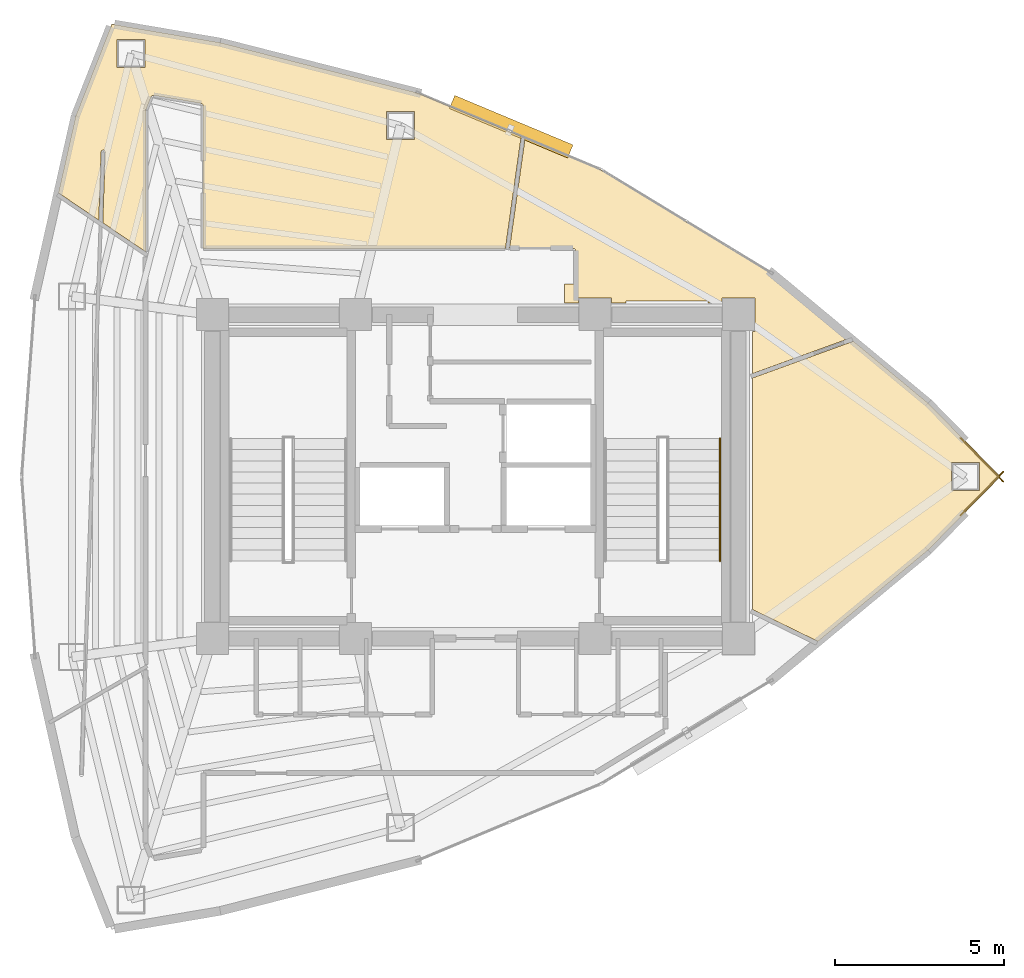
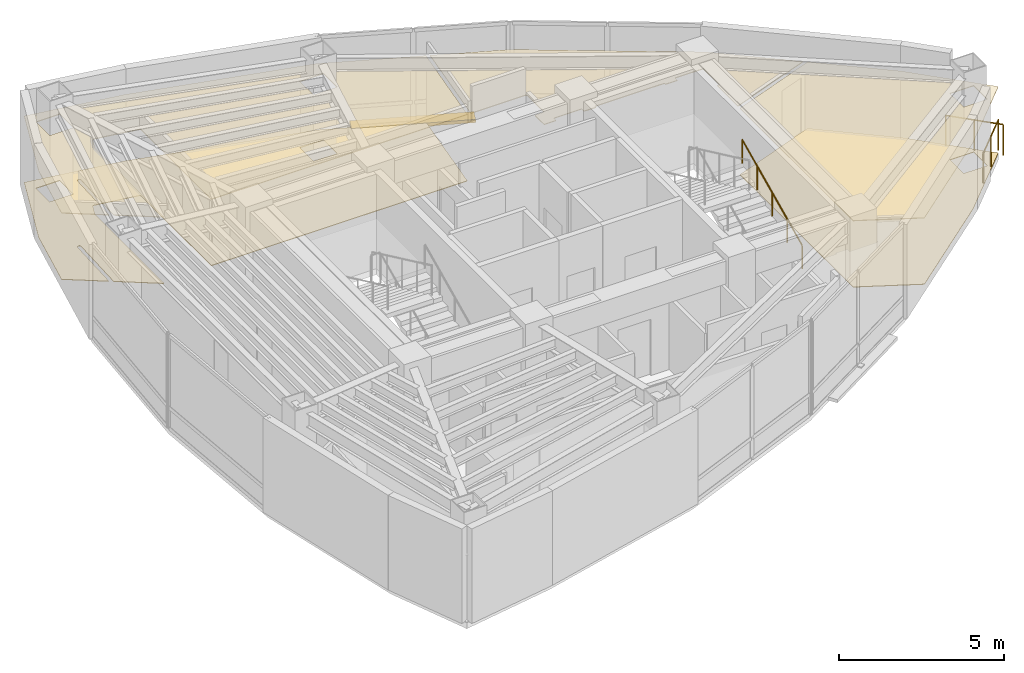
# One storey, part 15 of 16: 5 coverings, 3 railings, 1 shading device.
"""IFC4 building model written with IfcOpenShell, lengths in metres."""

import ifcopenshell
import ifcopenshell.guid

model = None  # the IFC model being written
_history = None  # IfcOwnerHistory: only IFC2X3 demands one
_inside = {}  # id of a spatial element -> (the spatial element, [elements in it])
_under = {}  # id of a project, library or spatial element -> (it, [spatial elements below it])
_declared = {}  # id of a project -> (the project, [libraries it declares])
_typed = {}  # id of a type object -> (the type object, [elements of that type])
_made_of = {}  # id of a material, layer set ... -> (it, [elements and type objects made of it])


def new_model(schema):
    """Start an empty IFC model of exactly this schema.

    Asked for "IFC4X3", IfcOpenShell would pick the latest addendum, in which some entities
    have other attributes; the version numbers below select the first issue.
    IFC2X3 requires an IfcOwnerHistory on every rooted entity: one is made here for all.
    """
    global model, _history
    if schema == "IFC4X3":
        model = ifcopenshell.file(schema_version=(4, 3, 0, 0))
    else:
        model = ifcopenshell.file(schema=schema)
    _inside.clear()
    _under.clear()
    _declared.clear()
    _typed.clear()
    _made_of.clear()
    _history = None
    if model.schema == "IFC2X3":
        org = make("IfcOrganization", Name="unknown")
        user = make(
            "IfcPersonAndOrganization",
            ThePerson=make("IfcPerson", FamilyName="unknown"),
            TheOrganization=org,
        )
        app = make(
            "IfcApplication",
            ApplicationDeveloper=org,
            Version="unknown",
            ApplicationFullName="unknown",
            ApplicationIdentifier="unknown",
        )
        _history = make(
            "IfcOwnerHistory",
            OwningUser=user,
            OwningApplication=app,
            ChangeAction="ADDED",
            CreationDate=0,
        )
    return model


def make(cls, **values):
    """One entity of the class cls with the attributes given. An attribute that is None is left unset."""
    return model.create_entity(
        cls, **{name: value for name, value in values.items() if value is not None}
    )


def rooted(cls, **values):
    """An entity with a GlobalId (a new one), such as an element, a storey or a relation."""
    return make(cls, GlobalId=ifcopenshell.guid.new(), OwnerHistory=_history, **values)


def si_unit(unit_type, name, prefix=None):
    """IfcSIUnit, for example si_unit("LENGTHUNIT", "METRE", prefix="MILLI")."""
    return make("IfcSIUnit", UnitType=unit_type, Prefix=prefix, Name=name)


def assignment(units):
    """IfcUnitAssignment: the units of a project."""
    return None if units is None else make("IfcUnitAssignment", Units=units)


def point(xyz):
    """IfcCartesianPoint."""
    return None if xyz is None else make("IfcCartesianPoint", Coordinates=xyz)


def direction(xyz):
    """IfcDirection."""
    return None if xyz is None else make("IfcDirection", DirectionRatios=xyz)


def frame(location, z_axis=None, x_axis=None):
    """IfcAxis2Placement3D, a coordinate frame: its origin and axes. An axis left out is left unset."""
    return make(
        "IfcAxis2Placement3D",
        Location=point(location),
        Axis=direction(z_axis),
        RefDirection=direction(x_axis),
    )


def frame_2d(location, x_axis=None):
    """IfcAxis2Placement2D, a coordinate frame in the plane: its origin and x axis."""
    return make(
        "IfcAxis2Placement2D", Location=point(location), RefDirection=direction(x_axis)
    )


def origin():
    """The frame at (0, 0, 0) with its axes left unset."""
    return frame((0.0, 0.0, 0.0))


def origin_2d():
    """The frame at (0, 0) in the plane with its x axis left unset."""
    return frame_2d((0.0, 0.0))


def place(relative_to, where):
    """IfcLocalPlacement: puts the frame where relative to a parent placement (None: the world)."""
    return make(
        "IfcLocalPlacement", PlacementRelTo=relative_to, RelativePlacement=where
    )


def context(
    kind, dimensions, precision=None, world=None, true_north=None, identifier=None
):
    """IfcGeometricRepresentationContext, for example the 3D "Model" context."""
    return make(
        "IfcGeometricRepresentationContext",
        ContextIdentifier=identifier,
        ContextType=kind,
        CoordinateSpaceDimension=dimensions,
        Precision=precision,
        WorldCoordinateSystem=world,
        TrueNorth=true_north,
    )


def subcontext(parent, identifier, kind, view, scale=None):
    """IfcGeometricRepresentationSubContext, for example "Body" below "Model"."""
    return make(
        "IfcGeometricRepresentationSubContext",
        ContextIdentifier=identifier,
        ContextType=kind,
        ParentContext=parent,
        TargetScale=scale,
        TargetView=view,
    )


def project(units=None, contexts=None):
    """IfcProject with its units and contexts."""
    return rooted(
        "IfcProject",
        Name="project",
        RepresentationContexts=contexts,
        UnitsInContext=assignment(units),
    )


def spatial(cls, under=None, at=None, **own):
    """A site, building, storey or space (cls), placed at a placement, below another one or the project."""
    s = rooted(cls, ObjectPlacement=at, **own)
    if under is not None:
        _under.setdefault(under.id(), (under, []))[1].append(s)
    return s


def polyline(points):
    """IfcPolyline through the points."""
    return make("IfcPolyline", Points=[point(p) for p in points])


def profile(cls, at=None, kind="AREA", **sizes):
    """A parametric profile (cls). Its sizes go by their IFC names, for example OverallWidth=200.0."""
    return make(cls, ProfileType=kind, Position=at, **sizes)


def rectangle(**sizes):
    """IfcRectangleProfileDef."""
    return profile("IfcRectangleProfileDef", **sizes)


def circle(**sizes):
    """IfcCircleProfileDef."""
    return profile("IfcCircleProfileDef", **sizes)


def outline(outer, holes=None, kind="AREA"):
    """IfcArbitraryClosedProfileDef: a profile drawn as a closed curve; with holes, ...WithVoids."""
    if holes is None:
        return make("IfcArbitraryClosedProfileDef", ProfileType=kind, OuterCurve=outer)
    return make(
        "IfcArbitraryProfileDefWithVoids",
        ProfileType=kind,
        OuterCurve=outer,
        InnerCurves=holes,
    )


def extrude(swept, where, along, depth):
    """IfcExtrudedAreaSolid: the profile swept, set in the frame where, extruded along a direction by depth."""
    return make(
        "IfcExtrudedAreaSolid",
        SweptArea=swept,
        Position=where,
        ExtrudedDirection=direction(along),
        Depth=depth,
    )


def shape(context_of_items, identifier, shape_type, items):
    """IfcShapeRepresentation: the items that make up one representation, for example the "Body"."""
    return make(
        "IfcShapeRepresentation",
        ContextOfItems=context_of_items,
        RepresentationIdentifier=identifier,
        RepresentationType=shape_type,
        Items=items,
    )


def material(Name=None, Category=None):
    """IfcMaterial."""
    return make("IfcMaterial", Name=Name, Category=Category)


def layer(
    of_material, thickness, ventilated=None, Name=None, Category=None, Priority=None
):
    """IfcMaterialLayer: one layer of a wall or slab, of a material (None: an air gap)."""
    return make(
        "IfcMaterialLayer",
        Material=of_material,
        LayerThickness=thickness,
        IsVentilated=ventilated,
        Name=Name,
        Category=Category,
        Priority=Priority,
    )


def layer_set(layers, Name=None):
    """IfcMaterialLayerSet."""
    return make("IfcMaterialLayerSet", MaterialLayers=layers, LayerSetName=Name)


def made_of(thing, what):
    """Note that an element or type object is made of a material, layer set ...; save() writes the relation."""
    if what is not None:
        _made_of.setdefault(what.id(), (what, []))[1].append(thing)
    return thing


def type_object(cls, material=None, **own):
    """A type object (cls), such as IfcWallType, which elements share."""
    return made_of(rooted(cls, **own), material)


def element(
    cls,
    number,
    at=None,
    inside=None,
    cuts=None,
    type_object=None,
    material=None,
    context=None,
    identifier="Body",
    shape_type=None,
    held_by="IfcProductDefinitionShape",
    body=None,
    shapes=None,
    **own,
):
    """One element of the class cls, such as IfcWall. Its Tag is "e" and its number.

    at: its placement. inside: the storey or other place that contains it. cuts: it is an
    opening in that element (IfcRelVoidsElement). A single representation is given by context,
    identifier, shape_type and body (its items); several are given by shapes. held_by: the class
    of the entity that holds the representations. save() writes the other relations.
    """
    e = rooted(cls, Tag="e%d" % number, ObjectPlacement=at, **own)
    if body is not None:
        shapes = [shape(context, identifier, shape_type, body)]
    if shapes is not None:
        e.Representation = make(held_by, Representations=shapes)
    if inside is not None:
        _inside.setdefault(inside.id(), (inside, []))[1].append(e)
    if cuts is not None:
        rooted(
            "IfcRelVoidsElement", RelatingBuildingElement=cuts, RelatedOpeningElement=e
        )
    if type_object is not None:
        _typed.setdefault(type_object.id(), (type_object, []))[1].append(e)
    return made_of(e, material)


def aggregate(whole, parts):
    """IfcRelAggregates: a whole, such as a stair, and the parts it consists of."""
    return rooted("IfcRelAggregates", RelatingObject=whole, RelatedObjects=parts)


def save(model, path):
    """Write the relations noted so far, then the file.

    IfcRelAggregates (storeys below a building ...), IfcRelContainedInSpatialStructure (elements
    in a storey), IfcRelDefinesByType, IfcRelAssociatesMaterial and IfcRelDeclares: one each for
    every whole, place, type object, material and project.
    """
    for whole, parts in _under.values():
        aggregate(whole, parts)
    for where, things in _inside.values():
        rooted(
            "IfcRelContainedInSpatialStructure",
            RelatedElements=things,
            RelatingStructure=where,
        )
    for kind, things in _typed.values():
        rooted("IfcRelDefinesByType", RelatedObjects=things, RelatingType=kind)
    for what, things in _made_of.values():
        rooted("IfcRelAssociatesMaterial", RelatedObjects=things, RelatingMaterial=what)
    for by, libraries in _declared.values():
        rooted("IfcRelDeclares", RelatingContext=by, RelatedDefinitions=libraries)
    model.write(path)


model = new_model("IFC4")

# Units and contexts
model_context = context("Model", 3, precision=1e-05, world=origin(), true_north=direction((0.0, 1.0)))
body_context = subcontext(model_context, "Body", "Model", "MODEL_VIEW")
ifc_project = project(units=[si_unit("LENGTHUNIT", "METRE"), si_unit("AREAUNIT", "SQUARE_METRE"), si_unit("VOLUMEUNIT", "CUBIC_METRE"), si_unit("PLANEANGLEUNIT", "RADIAN"), si_unit("MASSUNIT", "GRAM", prefix="KILO")], contexts=[model_context])

# Site, building, storey
site_placement = place(None, origin())
site = spatial("IfcSite", under=ifc_project, at=site_placement, CompositionType="ELEMENT")
building_placement = place(site_placement, origin())
building = spatial("IfcBuilding", under=site, at=building_placement, Name="Menara Vayukalpa", CompositionType="ELEMENT")
storey_placement = place(building_placement, frame((0.0, 0.0, 273.179931640625)))
storey = spatial("IfcBuildingStorey", under=building, at=storey_placement, Name="L69", CompositionType="ELEMENT", Elevation=273.179931640625)

# Coverings
ifc_material_1 = material(Name="Mineral Fibre Acoustic Ceiling Tile", Category="masonry")
ifc_layer_1 = layer(ifc_material_1, 0.02490234375)
ifc_layer_set_1 = layer_set([ifc_layer_1], Name="Mineral Fibre Acoustic Ceiling Tile")
covering_type_1 = type_object("IfcCoveringType", Name="COV-CLG1", PredefinedType="CEILING", material=ifc_layer_set_1)
covering_1_placement = place(storey_placement, frame((0.0, 0.0, 2.449951171875)))
element("IfcCovering", 1, at=covering_1_placement, inside=storey, type_object=covering_type_1, Name="L69 Client Conference Room Acoustic Ceiling", PredefinedType="CEILING", context=body_context, shape_type="SweptSolid", body=[
    extrude(outline(polyline([(41.15087890625, 22.007080078125), (41.151611328125, 22.00634765625), (41.15234375, 22.005615234375), (41.152587890625, 22.004638671875), (41.1533203125, 22.00390625), (41.153564453125, 22.0029296875), (41.15380859375, 22.001953125), (41.15380859375, 22.0009765625), (41.15380859375, 22.0), (41.15380859375, 21.9990234375), (41.15380859375, 21.998046875), (41.153564453125, 21.9970703125), (41.1533203125, 21.99609375), (41.152587890625, 21.995361328125), (41.15234375, 21.994384765625), (41.151611328125, 21.99365234375), (41.15087890625, 21.992919921875), (39.021240234375, 19.82373046875), (39.0205078125, 19.822998046875), (35.759033203125, 17.118408203125), (35.75830078125, 17.117919921875), (35.757568359375, 17.1171875), (35.756591796875, 17.116943359375), (35.755859375, 17.11669921875), (35.7548828125, 17.1162109375), (35.75390625, 17.1162109375), (35.7529296875, 17.1162109375), (35.751953125, 17.1162109375), (35.7509765625, 17.1162109375), (35.75, 17.116455078125), (35.749267578125, 17.11669921875), (35.748291015625, 17.1171875), (33.815673828125, 18.059814453125), (33.814697265625, 18.060302734375), (33.81396484375, 18.060791015625), (33.81298828125, 18.061279296875), (33.8125, 18.062255859375), (33.811767578125, 18.06298828125), (33.811279296875, 18.063720703125), (33.810791015625, 18.064697265625), (33.810546875, 18.065673828125), (33.810302734375, 18.066650390625), (33.81005859375, 18.067626953125), (33.81005859375, 18.068603515625), (33.81005859375, 24.917236328125), (33.81005859375, 24.918212890625), (33.810302734375, 24.919189453125), (33.810546875, 24.92041015625), (33.810791015625, 24.92138671875), (33.811279296875, 24.922119140625), (33.811767578125, 24.923095703125), (33.8125, 24.923828125), (33.81298828125, 24.924560546875), (33.81396484375, 24.92529296875), (33.814697265625, 24.92578125), (33.815673828125, 24.92626953125), (33.816650390625, 24.9267578125), (36.79345703125, 26.01025390625), (36.798828125, 26.012451171875), (36.7998046875, 26.0126953125), (36.80078125, 26.012939453125), (36.8017578125, 26.01318359375), (36.802490234375, 26.01318359375), (36.8037109375, 26.01318359375), (36.8046875, 26.012939453125), (36.805419921875, 26.0126953125), (36.806396484375, 26.012451171875), (36.807373046875, 26.011962890625), (36.80810546875, 26.011474609375), (36.80908203125, 26.010986328125), (39.0205078125, 24.177001953125), (39.021240234375, 24.17626953125), (41.15087890625, 22.007080078125)]), holes=[polyline([(40.536865234375, 22.4150390625), (39.706787109375, 22.4150390625), (39.706787109375, 21.5849609375), (40.536865234375, 21.5849609375), (40.536865234375, 22.4150390625)])]), origin(), (0.0, 0.0, 1.0), 0.025146484375),
])
covering_2_placement = place(storey_placement, frame((0.0, 0.0, 2.449951171875)))
element("IfcCovering", 2, at=covering_2_placement, inside=storey, type_object=covering_type_1, Name="L69 Client Conference Room Acoustic Ceiling", PredefinedType="CEILING", context=body_context, shape_type="SweptSolid", body=[
    extrude(outline(polyline([(28.570068359375, 28.69970703125), (28.569580078125, 28.706787109375), (28.568603515625, 28.713623046875), (28.56689453125, 28.72021484375), (28.564697265625, 28.726806640625), (28.561767578125, 28.73291015625), (28.55810546875, 28.73876953125), (28.553955078125, 28.744384765625), (28.549560546875, 28.74951171875), (28.54443359375, 28.75390625), (28.538818359375, 28.75830078125), (28.532958984375, 28.76171875), (28.52685546875, 28.7646484375), (28.520263671875, 28.76708984375), (28.513671875, 28.768798828125), (28.5068359375, 28.76953125), (28.499755859375, 28.77001953125), (26.62353515625, 28.77001953125), (26.62255859375, 28.77001953125), (26.62158203125, 28.770263671875), (26.62060546875, 28.7705078125), (26.61962890625, 28.770751953125), (26.618896484375, 28.771240234375), (26.617919921875, 28.771728515625), (26.6171875, 28.7724609375), (26.616455078125, 28.773193359375), (26.61572265625, 28.773681640625), (26.615234375, 28.774658203125), (26.61474609375, 28.775390625), (26.6142578125, 28.7763671875), (26.614013671875, 28.77734375), (26.61376953125, 28.7783203125), (26.613525390625, 28.779296875), (26.613525390625, 28.780517578125), (26.61376953125, 28.781494140625), (27.06982421875, 32.02685546875), (27.070068359375, 32.027587890625), (27.0703125, 32.02880859375), (27.070556640625, 32.029541015625), (27.071044921875, 32.030517578125), (27.071533203125, 32.03125), (27.072265625, 32.031982421875), (27.07275390625, 32.03271484375), (27.073486328125, 32.033203125), (27.07421875, 32.03369140625), (27.0751953125, 32.0341796875), (27.076171875, 32.03466796875), (27.076904296875, 32.034912109375), (27.077880859375, 32.03515625), (27.078857421875, 32.035400390625), (27.079833984375, 32.035400390625), (27.080810546875, 32.035400390625), (27.081787109375, 32.03515625), (27.082763671875, 32.034912109375), (27.08349609375, 32.03466796875), (29.32568359375, 31.0966796875), (29.326416015625, 31.09619140625), (29.3271484375, 31.095947265625), (34.37353515625, 28.030517578125), (34.374755859375, 28.02978515625), (36.684326171875, 26.1142578125), (36.68505859375, 26.113525390625), (36.685791015625, 26.11279296875), (36.686279296875, 26.112060546875), (36.68701171875, 26.111083984375), (36.687255859375, 26.1103515625), (36.6875, 26.109375), (36.687744140625, 26.1083984375), (36.68798828125, 26.107421875), (36.68798828125, 26.1064453125), (36.68798828125, 26.10546875), (36.687744140625, 26.1044921875), (36.6875, 26.103515625), (36.68701171875, 26.1025390625), (36.686767578125, 26.1015625), (36.68603515625, 26.100830078125), (36.685546875, 26.10009765625), (36.684814453125, 26.099365234375), (36.68408203125, 26.0986328125), (36.68310546875, 26.09814453125), (36.682373046875, 26.09765625), (36.681396484375, 26.09716796875), (33.823486328125, 25.056884765625), (33.822509765625, 25.056640625), (33.821533203125, 25.056396484375), (33.820556640625, 25.056396484375), (33.819580078125, 25.056396484375), (33.818603515625, 25.056396484375), (33.81787109375, 25.056640625), (33.81689453125, 25.056884765625), (33.81591796875, 25.05712890625), (33.815185546875, 25.0576171875), (33.814208984375, 25.05810546875), (33.8134765625, 25.05859375), (33.812744140625, 25.059326171875), (33.812255859375, 25.06005859375), (33.8115234375, 25.060791015625), (33.81103515625, 25.061767578125), (33.810791015625, 25.0625), (33.810302734375, 25.0634765625), (33.810302734375, 25.064453125), (33.81005859375, 25.065185546875), (33.81005859375, 25.06640625), (33.81005859375, 26.31005859375), (33.889892578125, 26.31005859375), (33.889892578125, 27.2900390625), (32.909912109375, 27.2900390625), (32.909912109375, 27.14990234375), (32.489990234375, 27.14990234375), (32.489990234375, 27.2099609375), (30.06005859375, 27.2099609375), (30.06005859375, 27.14990234375), (29.639892578125, 27.14990234375), (29.639892578125, 27.2900390625), (28.659912109375, 27.2900390625), (28.659912109375, 27.14990234375), (28.239990234375, 27.14990234375), (28.239990234375, 27.7099609375), (28.570068359375, 27.7099609375), (28.570068359375, 28.69970703125)])), origin(), (0.0, 0.0, 1.0), 0.025146484375),
])
covering_3_placement = place(storey_placement, frame((0.0, 0.0, 2.449951171875)))
element("IfcCovering", 3, at=covering_3_placement, inside=storey, type_object=covering_type_1, Name="L69 Client Conference Room Acoustic Ceiling", PredefinedType="CEILING", context=body_context, shape_type="SweptSolid", body=[
    extrude(outline(polyline([(13.751953125, 32.691162109375), (14.8173828125, 35.404541015625), (14.81787109375, 35.4052734375), (14.818359375, 35.40625), (14.81884765625, 35.406982421875), (14.819580078125, 35.40771484375), (14.8203125, 35.408447265625), (14.821044921875, 35.408935546875), (14.822021484375, 35.409423828125), (14.82275390625, 35.409912109375), (14.82373046875, 35.410400390625), (14.82470703125, 35.41064453125), (14.82568359375, 35.41064453125), (14.826416015625, 35.410888671875), (14.827392578125, 35.410888671875), (14.82861328125, 35.41064453125), (18.027587890625, 34.867431640625), (18.028564453125, 34.8671875), (23.877197265625, 33.375732421875), (23.878662109375, 33.375244140625), (26.949951171875, 32.09033203125), (26.950927734375, 32.090087890625), (26.95166015625, 32.089599609375), (26.952392578125, 32.0888671875), (26.953369140625, 32.088134765625), (26.953857421875, 32.08740234375), (26.95458984375, 32.086669921875), (26.955078125, 32.085693359375), (26.955322265625, 32.084716796875), (26.955810546875, 32.083740234375), (26.9560546875, 32.082763671875), (26.9560546875, 32.081787109375), (26.9560546875, 32.080810546875), (26.9560546875, 32.079833984375), (26.4921875, 28.778564453125), (26.491943359375, 28.777587890625), (26.49169921875, 28.77685546875), (26.4912109375, 28.77587890625), (26.490966796875, 28.77490234375), (26.490478515625, 28.774169921875), (26.48974609375, 28.7734375), (26.489013671875, 28.772705078125), (26.48828125, 28.772216796875), (26.487548828125, 28.771484375), (26.48681640625, 28.77099609375), (26.48583984375, 28.770751953125), (26.485107421875, 28.7705078125), (26.484130859375, 28.770263671875), (26.483154296875, 28.77001953125), (26.482177734375, 28.77001953125), (17.5400390625, 28.77001953125), (17.5390625, 28.77001953125), (17.5380859375, 28.770263671875), (17.537109375, 28.7705078125), (17.5361328125, 28.770751953125), (17.535400390625, 28.771240234375), (17.534423828125, 28.771728515625), (17.53369140625, 28.772216796875), (17.532958984375, 28.77294921875), (17.5322265625, 28.773681640625), (17.53173828125, 28.7744140625), (17.53125, 28.775390625), (17.53076171875, 28.776123046875), (17.530517578125, 28.777099609375), (17.5302734375, 28.778076171875), (17.530029296875, 28.779052734375), (17.530029296875, 28.780029296875), (17.530029296875, 32.995849609375), (17.529541015625, 33.003173828125), (17.528564453125, 33.010009765625), (17.52685546875, 33.016845703125), (17.5244140625, 33.0234375), (17.521484375, 33.02978515625), (17.517822265625, 33.03564453125), (17.513427734375, 33.041259765625), (17.5087890625, 33.04638671875), (17.50341796875, 33.05078125), (17.497802734375, 33.05517578125), (17.49169921875, 33.05859375), (17.485107421875, 33.061279296875), (17.478515625, 33.063720703125), (17.471435546875, 33.065185546875), (16.06201171875, 33.304443359375), (16.054931640625, 33.305419921875), (16.048095703125, 33.305419921875), (16.041259765625, 33.304931640625), (16.034423828125, 33.3037109375), (16.02783203125, 33.302001953125), (16.021484375, 33.299560546875), (16.015625, 33.29638671875), (16.009765625, 33.292724609375), (16.00439453125, 33.28857421875), (15.999267578125, 33.283935546875), (15.994873046875, 33.27880859375), (15.990966796875, 33.273193359375), (15.987548828125, 33.267333984375), (15.984619140625, 33.2607421875), (15.8349609375, 32.87939453125), (15.832763671875, 32.873291015625), (15.831298828125, 32.86669921875), (15.830322265625, 32.8603515625), (15.830078125, 32.853515625), (15.830078125, 28.68115234375), (15.830078125, 28.68017578125), (15.829833984375, 28.67919921875), (15.82958984375, 28.67822265625), (15.8291015625, 28.67724609375), (15.828857421875, 28.676513671875), (15.828369140625, 28.675537109375), (15.82763671875, 28.6748046875), (15.8271484375, 28.674072265625), (15.826416015625, 28.67333984375), (15.825439453125, 28.6728515625), (15.82470703125, 28.67236328125), (15.82373046875, 28.671875), (15.822998046875, 28.67138671875), (15.822021484375, 28.67138671875), (15.821044921875, 28.671142578125), (15.820068359375, 28.671142578125), (15.819091796875, 28.671142578125), (15.818115234375, 28.67138671875), (15.817138671875, 28.67138671875), (15.816162109375, 28.671875), (15.815185546875, 28.67236328125), (15.814453125, 28.6728515625), (14.556640625, 29.521240234375), (14.555908203125, 29.521728515625), (14.55517578125, 29.5224609375), (14.554443359375, 29.523193359375), (14.5537109375, 29.524169921875), (14.55322265625, 29.52490234375), (14.552978515625, 29.52587890625), (14.552490234375, 29.52685546875), (14.55224609375, 29.52783203125), (14.55224609375, 29.52880859375), (14.55224609375, 29.52978515625), (14.625244140625, 31.619873046875), (14.625, 31.6259765625), (14.62451171875, 31.6318359375), (14.623291015625, 31.6376953125), (14.621337890625, 31.643310546875), (14.619140625, 31.648681640625), (14.6162109375, 31.65380859375), (14.613037109375, 31.65869140625), (14.609130859375, 31.6630859375), (14.60498046875, 31.667236328125), (14.60009765625, 31.6708984375), (14.59521484375, 31.674072265625), (14.590087890625, 31.6767578125), (14.584716796875, 31.678955078125), (14.5791015625, 31.680419921875), (14.5732421875, 31.681640625), (14.5673828125, 31.68212890625), (14.561279296875, 31.681884765625), (14.5556640625, 31.681396484375), (14.5498046875, 31.68017578125), (14.544189453125, 31.67822265625), (14.538818359375, 31.676025390625), (14.53369140625, 31.673095703125), (14.52880859375, 31.669921875), (14.5244140625, 31.666015625), (14.520263671875, 31.661865234375), (14.5166015625, 31.6572265625), (14.513427734375, 31.65234375), (14.510498046875, 31.64697265625), (14.508544921875, 31.6416015625), (14.5068359375, 31.635986328125), (14.505859375, 31.630126953125), (14.50537109375, 31.6240234375), (14.435302734375, 29.62158203125), (14.435302734375, 29.62060546875), (14.43505859375, 29.619384765625), (14.434814453125, 29.61865234375), (14.434326171875, 29.61767578125), (14.43408203125, 29.61669921875), (14.43359375, 29.615966796875), (14.432861328125, 29.615234375), (14.43212890625, 29.614501953125), (14.431396484375, 29.614013671875), (14.4306640625, 29.61328125), (14.4296875, 29.61279296875), (14.428955078125, 29.612548828125), (14.427978515625, 29.6123046875), (14.427001953125, 29.612060546875), (14.426025390625, 29.61181640625), (14.42529296875, 29.61181640625), (14.42431640625, 29.61181640625), (14.42333984375, 29.612060546875), (14.42236328125, 29.6123046875), (14.42138671875, 29.612548828125), (14.42041015625, 29.613037109375), (14.419677734375, 29.613525390625), (13.244140625, 30.406494140625), (13.243408203125, 30.406982421875), (13.24267578125, 30.40771484375), (13.241943359375, 30.408447265625), (13.241455078125, 30.4091796875), (13.240966796875, 30.41015625), (13.240478515625, 30.410888671875), (13.240234375, 30.412109375), (13.239990234375, 30.412841796875), (13.23974609375, 30.413818359375), (13.23974609375, 30.414794921875), (13.239990234375, 30.416015625), (13.239990234375, 30.4169921875), (13.75146484375, 32.689697265625), (13.751708984375, 32.690185546875), (13.751953125, 32.691162109375)]), holes=[polyline([(15.80419921875, 34.959716796875), (14.97412109375, 34.959716796875), (14.97412109375, 34.129638671875), (15.80419921875, 34.129638671875), (15.80419921875, 34.959716796875)]), polyline([(23.796875, 32.81982421875), (22.966796875, 32.81982421875), (22.966796875, 31.98974609375), (23.796875, 31.98974609375), (23.796875, 32.81982421875)])]), origin(), (0.0, 0.0, 1.0), 0.025146484375),
])
ifc_material_2 = material(Name="Porcelain Stoneware Floor Tile", Category="masonry")
ifc_layer_2 = layer(ifc_material_2, 0.02001953125)
ifc_layer_set_2 = layer_set([ifc_layer_2], Name="Porcelain Stoneware Floor Tile")
covering_type_2 = type_object("IfcCoveringType", Name="COV-FLR1", PredefinedType="FLOORING", material=ifc_layer_set_2)
covering_4_placement = place(storey_placement, origin())
element("IfcCovering", 4, at=covering_4_placement, inside=storey, type_object=covering_type_2, Name="L69 Client Conference Room Porcelain Flooring", PredefinedType="FLOORING", context=body_context, shape_type="SweptSolid", body=[
    extrude(outline(polyline([(41.15087890625, 22.007080078125), (41.151611328125, 22.00634765625), (41.15234375, 22.005615234375), (41.152587890625, 22.004638671875), (41.1533203125, 22.00390625), (41.153564453125, 22.0029296875), (41.15380859375, 22.001953125), (41.15380859375, 22.0009765625), (41.15380859375, 22.0), (41.15380859375, 21.9990234375), (41.15380859375, 21.998046875), (41.153564453125, 21.9970703125), (41.1533203125, 21.99609375), (41.152587890625, 21.995361328125), (41.15234375, 21.994384765625), (41.151611328125, 21.99365234375), (41.15087890625, 21.992919921875), (39.021240234375, 19.82373046875), (39.0205078125, 19.822998046875), (35.759033203125, 17.118408203125), (35.75830078125, 17.117919921875), (35.757568359375, 17.1171875), (35.756591796875, 17.116943359375), (35.755859375, 17.11669921875), (35.7548828125, 17.1162109375), (35.75390625, 17.1162109375), (35.7529296875, 17.1162109375), (35.751953125, 17.1162109375), (35.7509765625, 17.1162109375), (35.75, 17.116455078125), (35.749267578125, 17.11669921875), (35.748291015625, 17.1171875), (33.815673828125, 18.059814453125), (33.814697265625, 18.060302734375), (33.81396484375, 18.060791015625), (33.81298828125, 18.061279296875), (33.8125, 18.062255859375), (33.811767578125, 18.06298828125), (33.811279296875, 18.063720703125), (33.810791015625, 18.064697265625), (33.810546875, 18.065673828125), (33.810302734375, 18.066650390625), (33.81005859375, 18.067626953125), (33.81005859375, 18.068603515625), (33.81005859375, 24.917236328125), (33.81005859375, 24.918212890625), (33.810302734375, 24.919189453125), (33.810546875, 24.92041015625), (33.810791015625, 24.92138671875), (33.811279296875, 24.922119140625), (33.811767578125, 24.923095703125), (33.8125, 24.923828125), (33.81298828125, 24.924560546875), (33.81396484375, 24.92529296875), (33.814697265625, 24.92578125), (33.815673828125, 24.92626953125), (33.816650390625, 24.9267578125), (36.79345703125, 26.01025390625), (36.798828125, 26.012451171875), (36.7998046875, 26.0126953125), (36.80078125, 26.012939453125), (36.8017578125, 26.01318359375), (36.802490234375, 26.01318359375), (36.8037109375, 26.01318359375), (36.8046875, 26.012939453125), (36.805419921875, 26.0126953125), (36.806396484375, 26.012451171875), (36.807373046875, 26.011962890625), (36.80810546875, 26.011474609375), (36.80908203125, 26.010986328125), (39.0205078125, 24.177001953125), (39.021240234375, 24.17626953125), (41.15087890625, 22.007080078125)]), holes=[polyline([(40.536865234375, 22.4150390625), (39.706787109375, 22.4150390625), (39.706787109375, 21.5849609375), (40.536865234375, 21.5849609375), (40.536865234375, 22.4150390625)])]), origin(), (0.0, 0.0, 1.0), 0.02001953125),
])
covering_5_placement = place(storey_placement, origin())
element("IfcCovering", 5, at=covering_5_placement, inside=storey, type_object=covering_type_2, Name="L69 Client Conference Room Porcelain Flooring", PredefinedType="FLOORING", context=body_context, shape_type="SweptSolid", body=[
    extrude(outline(polyline([(13.751953125, 32.691162109375), (14.8173828125, 35.404541015625), (14.81787109375, 35.4052734375), (14.818359375, 35.40625), (14.81884765625, 35.406982421875), (14.819580078125, 35.40771484375), (14.8203125, 35.408447265625), (14.821044921875, 35.408935546875), (14.822021484375, 35.409423828125), (14.82275390625, 35.409912109375), (14.82373046875, 35.410400390625), (14.82470703125, 35.41064453125), (14.82568359375, 35.41064453125), (14.826416015625, 35.410888671875), (14.827392578125, 35.410888671875), (14.82861328125, 35.41064453125), (18.027587890625, 34.867431640625), (18.028564453125, 34.8671875), (23.877197265625, 33.375732421875), (23.878662109375, 33.375244140625), (26.949951171875, 32.09033203125), (26.950927734375, 32.090087890625), (26.95166015625, 32.089599609375), (26.952392578125, 32.0888671875), (26.953369140625, 32.088134765625), (26.953857421875, 32.08740234375), (26.95458984375, 32.086669921875), (26.955078125, 32.085693359375), (26.955322265625, 32.084716796875), (26.955810546875, 32.083740234375), (26.9560546875, 32.082763671875), (26.9560546875, 32.081787109375), (26.9560546875, 32.080810546875), (26.9560546875, 32.079833984375), (26.4921875, 28.778564453125), (26.491943359375, 28.777587890625), (26.49169921875, 28.77685546875), (26.4912109375, 28.77587890625), (26.490966796875, 28.77490234375), (26.490478515625, 28.774169921875), (26.48974609375, 28.7734375), (26.489013671875, 28.772705078125), (26.48828125, 28.772216796875), (26.487548828125, 28.771484375), (26.48681640625, 28.77099609375), (26.48583984375, 28.770751953125), (26.485107421875, 28.7705078125), (26.484130859375, 28.770263671875), (26.483154296875, 28.77001953125), (26.482177734375, 28.77001953125), (17.5400390625, 28.77001953125), (17.5390625, 28.77001953125), (17.5380859375, 28.770263671875), (17.537109375, 28.7705078125), (17.5361328125, 28.770751953125), (17.535400390625, 28.771240234375), (17.534423828125, 28.771728515625), (17.53369140625, 28.772216796875), (17.532958984375, 28.77294921875), (17.5322265625, 28.773681640625), (17.53173828125, 28.7744140625), (17.53125, 28.775390625), (17.53076171875, 28.776123046875), (17.530517578125, 28.777099609375), (17.5302734375, 28.778076171875), (17.530029296875, 28.779052734375), (17.530029296875, 28.780029296875), (17.530029296875, 32.995849609375), (17.529541015625, 33.003173828125), (17.528564453125, 33.010009765625), (17.52685546875, 33.016845703125), (17.5244140625, 33.0234375), (17.521484375, 33.02978515625), (17.517822265625, 33.03564453125), (17.513427734375, 33.041259765625), (17.5087890625, 33.04638671875), (17.50341796875, 33.05078125), (17.497802734375, 33.05517578125), (17.49169921875, 33.05859375), (17.485107421875, 33.061279296875), (17.478515625, 33.063720703125), (17.471435546875, 33.065185546875), (16.06201171875, 33.304443359375), (16.054931640625, 33.305419921875), (16.048095703125, 33.305419921875), (16.041259765625, 33.304931640625), (16.034423828125, 33.3037109375), (16.02783203125, 33.302001953125), (16.021484375, 33.299560546875), (16.015625, 33.29638671875), (16.009765625, 33.292724609375), (16.00439453125, 33.28857421875), (15.999267578125, 33.283935546875), (15.994873046875, 33.27880859375), (15.990966796875, 33.273193359375), (15.987548828125, 33.267333984375), (15.984619140625, 33.2607421875), (15.8349609375, 32.87939453125), (15.832763671875, 32.873291015625), (15.831298828125, 32.86669921875), (15.830322265625, 32.8603515625), (15.830078125, 32.853515625), (15.830078125, 28.68115234375), (15.830078125, 28.68017578125), (15.829833984375, 28.67919921875), (15.82958984375, 28.67822265625), (15.8291015625, 28.67724609375), (15.828857421875, 28.676513671875), (15.828369140625, 28.675537109375), (15.82763671875, 28.6748046875), (15.8271484375, 28.674072265625), (15.826416015625, 28.67333984375), (15.825439453125, 28.6728515625), (15.82470703125, 28.67236328125), (15.82373046875, 28.671875), (15.822998046875, 28.67138671875), (15.822021484375, 28.67138671875), (15.821044921875, 28.671142578125), (15.820068359375, 28.671142578125), (15.819091796875, 28.671142578125), (15.818115234375, 28.67138671875), (15.817138671875, 28.67138671875), (15.816162109375, 28.671875), (15.815185546875, 28.67236328125), (15.814453125, 28.6728515625), (14.556640625, 29.521240234375), (14.555908203125, 29.521728515625), (14.55517578125, 29.5224609375), (14.554443359375, 29.523193359375), (14.5537109375, 29.524169921875), (14.55322265625, 29.52490234375), (14.552978515625, 29.52587890625), (14.552490234375, 29.52685546875), (14.55224609375, 29.52783203125), (14.55224609375, 29.52880859375), (14.55224609375, 29.52978515625), (14.625244140625, 31.619873046875), (14.625, 31.6259765625), (14.62451171875, 31.6318359375), (14.623291015625, 31.6376953125), (14.621337890625, 31.643310546875), (14.619140625, 31.648681640625), (14.6162109375, 31.65380859375), (14.613037109375, 31.65869140625), (14.609130859375, 31.6630859375), (14.60498046875, 31.667236328125), (14.60009765625, 31.6708984375), (14.59521484375, 31.674072265625), (14.590087890625, 31.6767578125), (14.584716796875, 31.678955078125), (14.5791015625, 31.680419921875), (14.5732421875, 31.681640625), (14.5673828125, 31.68212890625), (14.561279296875, 31.681884765625), (14.5556640625, 31.681396484375), (14.5498046875, 31.68017578125), (14.544189453125, 31.67822265625), (14.538818359375, 31.676025390625), (14.53369140625, 31.673095703125), (14.52880859375, 31.669921875), (14.5244140625, 31.666015625), (14.520263671875, 31.661865234375), (14.5166015625, 31.6572265625), (14.513427734375, 31.65234375), (14.510498046875, 31.64697265625), (14.508544921875, 31.6416015625), (14.5068359375, 31.635986328125), (14.505859375, 31.630126953125), (14.50537109375, 31.6240234375), (14.435302734375, 29.62158203125), (14.435302734375, 29.62060546875), (14.43505859375, 29.619384765625), (14.434814453125, 29.61865234375), (14.434326171875, 29.61767578125), (14.43408203125, 29.61669921875), (14.43359375, 29.615966796875), (14.432861328125, 29.615234375), (14.43212890625, 29.614501953125), (14.431396484375, 29.614013671875), (14.4306640625, 29.61328125), (14.4296875, 29.61279296875), (14.428955078125, 29.612548828125), (14.427978515625, 29.6123046875), (14.427001953125, 29.612060546875), (14.426025390625, 29.61181640625), (14.42529296875, 29.61181640625), (14.42431640625, 29.61181640625), (14.42333984375, 29.612060546875), (14.42236328125, 29.6123046875), (14.42138671875, 29.612548828125), (14.42041015625, 29.613037109375), (14.419677734375, 29.613525390625), (13.244140625, 30.406494140625), (13.243408203125, 30.406982421875), (13.24267578125, 30.40771484375), (13.241943359375, 30.408447265625), (13.241455078125, 30.4091796875), (13.240966796875, 30.41015625), (13.240478515625, 30.410888671875), (13.240234375, 30.412109375), (13.239990234375, 30.412841796875), (13.23974609375, 30.413818359375), (13.23974609375, 30.414794921875), (13.239990234375, 30.416015625), (13.239990234375, 30.4169921875), (13.75146484375, 32.689697265625), (13.751708984375, 32.690185546875), (13.751953125, 32.691162109375)]), holes=[polyline([(15.80419921875, 34.959716796875), (14.97412109375, 34.959716796875), (14.97412109375, 34.129638671875), (15.80419921875, 34.129638671875), (15.80419921875, 34.959716796875)]), polyline([(23.796875, 32.81982421875), (22.966796875, 32.81982421875), (22.966796875, 31.98974609375), (23.796875, 31.98974609375), (23.796875, 32.81982421875)])]), origin(), (0.0, 0.0, 1.0), 0.02001953125),
])

# Railings
ifc_material_3 = material(Name="Laminated Glass and Stainless Steel 316 Guardrail", Category="steel")
railing_type_1 = type_object("IfcRailingType", Name="RLG-EXT115", PredefinedType="GUARDRAIL", material=ifc_material_3)
railing_1_placement = place(storey_placement, frame((39.976318359375, 20.853515625, 0.0)))
element("IfcRailing", 6, at=railing_1_placement, inside=storey, type_object=railing_type_1, Name="L69 Column Corner Spandrel Guardrail 01-1", PredefinedType="GUARDRAIL", context=body_context, shape_type="SweptSolid", body=[
    extrude(circle(Radius=0.02392578125, at=origin_2d()), frame((0.0, 0.0, 1.1259765625), z_axis=(0.700555224103, 0.713598190848, 0.0), x_axis=(-0.713598190848, 0.700555224103, 0.0)), (0.0, 0.0, 1.0), 1.815673828125),
    extrude(circle(Radius=0.02099609375, at=origin_2d()), origin(), (0.0, 0.0, 1.0), 1.101806640625),
    extrude(circle(Radius=0.02099609375, at=origin_2d()), frame((0.635986328125, 0.64794921875, 0.0)), (0.0, 0.0, 1.0), 1.101806640625),
    extrude(circle(Radius=0.02099609375, at=origin_2d()), frame((1.27197265625, 1.295654296875, 0.0)), (0.0, 0.0, 1.0), 1.101806640625),
])
railing_2_placement = place(storey_placement, frame((41.248291015625, 21.850830078125, 0.0)))
element("IfcRailing", 7, at=railing_2_placement, inside=storey, type_object=railing_type_1, Name="L69 Column Corner Spandrel Guardrail 02-1", PredefinedType="GUARDRAIL", context=body_context, shape_type="SweptSolid", body=[
    extrude(circle(Radius=0.02392578125, at=origin_2d()), frame((0.0, 0.0, 1.1259765625), z_axis=(-0.700555224103, 0.713598190848, 0.0), x_axis=(-0.713598190848, -0.700555224103, 0.0)), (0.0, 0.0, 1.0), 1.815673828125),
    extrude(circle(Radius=0.02099609375, at=origin_2d()), origin(), (0.0, 0.0, 1.0), 1.101806640625),
    extrude(circle(Radius=0.02099609375, at=origin_2d()), frame((-0.635986328125, 0.64794921875, 0.0)), (0.0, 0.0, 1.0), 1.101806640625),
    extrude(circle(Radius=0.02099609375, at=origin_2d()), frame((-1.27197265625, 1.295654296875, 0.0)), (0.0, 0.0, 1.0), 1.101806640625),
])
ifc_material_4 = material(Name="Stainless Steel 316 Tubular Handrail", Category="steel")
railing_type_2 = type_object("IfcRailingType", Name="RLG-STH090", PredefinedType="HANDRAIL", material=ifc_material_4)
railing_3_placement = place(storey_placement, frame((32.85009765625, 19.5, 0.155029296875)))
element("IfcRailing", 8, at=railing_3_placement, inside=storey, type_object=railing_type_2, Name="L69 ST-2 stair handrail 1", PredefinedType="HANDRAIL", context=body_context, shape_type="SweptSolid", body=[
    extrude(circle(Radius=0.02392578125, at=origin_2d()), frame((0.0, 0.0, 0.8759765625), z_axis=(0.0, 0.90511648382, 0.425163675209), x_axis=(-1.0, 0.0, 0.0)), (0.0, 0.0, 1.0), 4.010498046875),
    extrude(circle(Radius=0.02099609375, at=origin_2d()), origin(), (0.0, 0.0, 1.0), 0.851806640625),
    extrude(circle(Radius=0.02099609375, at=origin_2d()), frame((0.0, 0.907470703125, 0.42626953125)), (0.0, 0.0, 1.0), 0.851806640625),
    extrude(circle(Radius=0.02099609375, at=origin_2d()), frame((0.0, 1.81494140625, 0.8525390625)), (0.0, 0.0, 1.0), 0.851806640625),
    extrude(circle(Radius=0.02099609375, at=origin_2d()), frame((0.0, 2.722412109375, 1.27880859375)), (0.0, 0.0, 1.0), 0.851806640625),
    extrude(circle(Radius=0.02099609375, at=origin_2d()), frame((0.0, 3.6298828125, 1.705078125)), (0.0, 0.0, 1.0), 0.851806640625),
])

# Shading device
ifc_material_5 = material(Name="Glazed Terracotta Ceramic Baguette Extrusion", Category="masonry")
ifc_layer_3 = layer(ifc_material_5, 0.1201171875)
ifc_layer_set_3 = layer_set([ifc_layer_3], Name="Glazed Terracotta Ceramic Baguette Extrusion")
shading_device_type = type_object("IfcShadingDeviceType", Name="SHD-SS1", PredefinedType="USERDEFINED", material=ifc_layer_set_3)
shading_device_placement = place(storey_placement, frame((26.66015625, 32.374267578125, -0.10009765625), z_axis=(0.0, 0.0, 1.0), x_axis=(-0.922538089456, 0.385906042324, 0.0)))
element("IfcShadingDevice", 9, at=shading_device_placement, inside=storey, type_object=shading_device_type, Name="L69 Horizontal Terracotta Sunshade Band 05", ObjectType="SUNSHADE", PredefinedType="USERDEFINED", context=body_context, shape_type="SweptSolid", body=[
    extrude(rectangle(XDim=3.800048828125, YDim=0.419921875, at=origin_2d()), origin(), (0.0, 0.0, 1.0), 0.1201171875),
])

save(model, "model.ifc")
